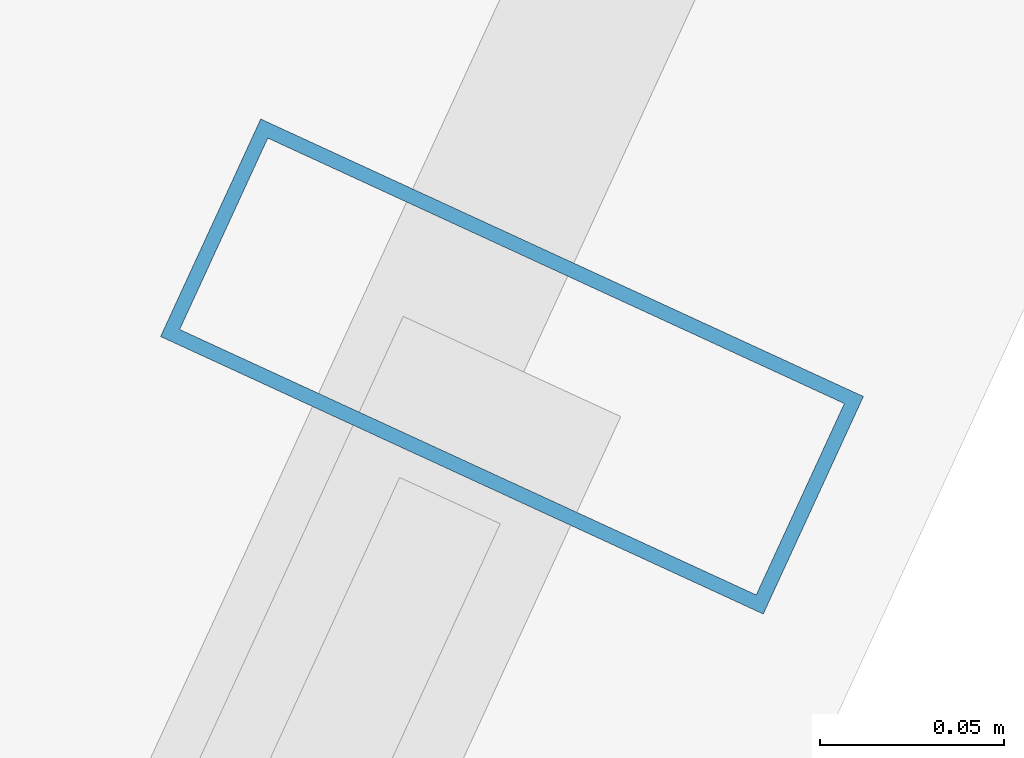
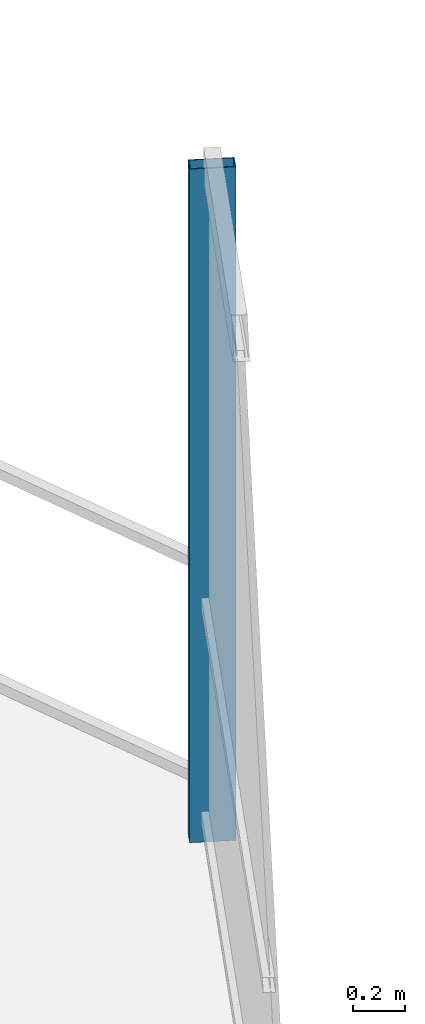
# One storey, part 22 of 30: 1 member, 1 element without a shape of its own.
"""IFC4 building model written with IfcOpenShell, lengths in metres."""

import ifcopenshell
import ifcopenshell.guid

model = None  # the IFC model being written
_history = None  # IfcOwnerHistory: only IFC2X3 demands one
_inside = {}  # id of a spatial element -> (the spatial element, [elements in it])
_under = {}  # id of a project, library or spatial element -> (it, [spatial elements below it])
_declared = {}  # id of a project -> (the project, [libraries it declares])
_typed = {}  # id of a type object -> (the type object, [elements of that type])
_made_of = {}  # id of a material, layer set ... -> (it, [elements and type objects made of it])


def new_model(schema):
    """Start an empty IFC model of exactly this schema.

    Asked for "IFC4X3", IfcOpenShell would pick the latest addendum, in which some entities
    have other attributes; the version numbers below select the first issue.
    IFC2X3 requires an IfcOwnerHistory on every rooted entity: one is made here for all.
    """
    global model, _history
    if schema == "IFC4X3":
        model = ifcopenshell.file(schema_version=(4, 3, 0, 0))
    else:
        model = ifcopenshell.file(schema=schema)
    _inside.clear()
    _under.clear()
    _declared.clear()
    _typed.clear()
    _made_of.clear()
    _history = None
    if model.schema == "IFC2X3":
        org = make("IfcOrganization", Name="unknown")
        user = make(
            "IfcPersonAndOrganization",
            ThePerson=make("IfcPerson", FamilyName="unknown"),
            TheOrganization=org,
        )
        app = make(
            "IfcApplication",
            ApplicationDeveloper=org,
            Version="unknown",
            ApplicationFullName="unknown",
            ApplicationIdentifier="unknown",
        )
        _history = make(
            "IfcOwnerHistory",
            OwningUser=user,
            OwningApplication=app,
            ChangeAction="ADDED",
            CreationDate=0,
        )
    return model


def make(cls, **values):
    """One entity of the class cls with the attributes given. An attribute that is None is left unset."""
    return model.create_entity(
        cls, **{name: value for name, value in values.items() if value is not None}
    )


def rooted(cls, **values):
    """An entity with a GlobalId (a new one), such as an element, a storey or a relation."""
    return make(cls, GlobalId=ifcopenshell.guid.new(), OwnerHistory=_history, **values)


def si_unit(unit_type, name, prefix=None):
    """IfcSIUnit, for example si_unit("LENGTHUNIT", "METRE", prefix="MILLI")."""
    return make("IfcSIUnit", UnitType=unit_type, Prefix=prefix, Name=name)


def assignment(units):
    """IfcUnitAssignment: the units of a project."""
    return None if units is None else make("IfcUnitAssignment", Units=units)


def point(xyz):
    """IfcCartesianPoint."""
    return None if xyz is None else make("IfcCartesianPoint", Coordinates=xyz)


def direction(xyz):
    """IfcDirection."""
    return None if xyz is None else make("IfcDirection", DirectionRatios=xyz)


def frame(location, z_axis=None, x_axis=None):
    """IfcAxis2Placement3D, a coordinate frame: its origin and axes. An axis left out is left unset."""
    return make(
        "IfcAxis2Placement3D",
        Location=point(location),
        Axis=direction(z_axis),
        RefDirection=direction(x_axis),
    )


def frame_2d(location, x_axis=None):
    """IfcAxis2Placement2D, a coordinate frame in the plane: its origin and x axis."""
    return make(
        "IfcAxis2Placement2D", Location=point(location), RefDirection=direction(x_axis)
    )


def origin():
    """The frame at (0, 0, 0) with its axes left unset."""
    return frame((0.0, 0.0, 0.0))


def origin_2d():
    """The frame at (0, 0) in the plane with its x axis left unset."""
    return frame_2d((0.0, 0.0))


def place(relative_to, where):
    """IfcLocalPlacement: puts the frame where relative to a parent placement (None: the world)."""
    return make(
        "IfcLocalPlacement", PlacementRelTo=relative_to, RelativePlacement=where
    )


def context(
    kind, dimensions, precision=None, world=None, true_north=None, identifier=None
):
    """IfcGeometricRepresentationContext, for example the 3D "Model" context."""
    return make(
        "IfcGeometricRepresentationContext",
        ContextIdentifier=identifier,
        ContextType=kind,
        CoordinateSpaceDimension=dimensions,
        Precision=precision,
        WorldCoordinateSystem=world,
        TrueNorth=true_north,
    )


def subcontext(parent, identifier, kind, view, scale=None):
    """IfcGeometricRepresentationSubContext, for example "Body" below "Model"."""
    return make(
        "IfcGeometricRepresentationSubContext",
        ContextIdentifier=identifier,
        ContextType=kind,
        ParentContext=parent,
        TargetScale=scale,
        TargetView=view,
    )


def project(units=None, contexts=None):
    """IfcProject with its units and contexts."""
    return rooted(
        "IfcProject",
        Name="project",
        RepresentationContexts=contexts,
        UnitsInContext=assignment(units),
    )


def spatial(cls, under=None, at=None, **own):
    """A site, building, storey or space (cls), placed at a placement, below another one or the project."""
    s = rooted(cls, ObjectPlacement=at, **own)
    if under is not None:
        _under.setdefault(under.id(), (under, []))[1].append(s)
    return s


def profile(cls, at=None, kind="AREA", **sizes):
    """A parametric profile (cls). Its sizes go by their IFC names, for example OverallWidth=200.0."""
    return make(cls, ProfileType=kind, Position=at, **sizes)


def hollow_rectangle(**sizes):
    """IfcRectangleHollowProfileDef."""
    return profile("IfcRectangleHollowProfileDef", **sizes)


def extrude(swept, where, along, depth):
    """IfcExtrudedAreaSolid: the profile swept, set in the frame where, extruded along a direction by depth."""
    return make(
        "IfcExtrudedAreaSolid",
        SweptArea=swept,
        Position=where,
        ExtrudedDirection=direction(along),
        Depth=depth,
    )


def shape(context_of_items, identifier, shape_type, items):
    """IfcShapeRepresentation: the items that make up one representation, for example the "Body"."""
    return make(
        "IfcShapeRepresentation",
        ContextOfItems=context_of_items,
        RepresentationIdentifier=identifier,
        RepresentationType=shape_type,
        Items=items,
    )


def material(Name=None, Category=None):
    """IfcMaterial."""
    return make("IfcMaterial", Name=Name, Category=Category)


def layer(
    of_material, thickness, ventilated=None, Name=None, Category=None, Priority=None
):
    """IfcMaterialLayer: one layer of a wall or slab, of a material (None: an air gap)."""
    return make(
        "IfcMaterialLayer",
        Material=of_material,
        LayerThickness=thickness,
        IsVentilated=ventilated,
        Name=Name,
        Category=Category,
        Priority=Priority,
    )


def layer_set(layers, Name=None):
    """IfcMaterialLayerSet."""
    return make("IfcMaterialLayerSet", MaterialLayers=layers, LayerSetName=Name)


def material_profile(
    of_material, cross_section, Name=None, Category=None, Priority=None
):
    """IfcMaterialProfile: a cross section and its material."""
    return make(
        "IfcMaterialProfile",
        Name=Name,
        Material=of_material,
        Profile=cross_section,
        Priority=Priority,
        Category=Category,
    )


def profile_set(profiles, Name=None, composite=None):
    """IfcMaterialProfileSet."""
    return make(
        "IfcMaterialProfileSet",
        Name=Name,
        MaterialProfiles=profiles,
        CompositeProfile=composite,
    )


def made_of(thing, what):
    """Note that an element or type object is made of a material, layer set ...; save() writes the relation."""
    if what is not None:
        _made_of.setdefault(what.id(), (what, []))[1].append(thing)
    return thing


def type_object(cls, material=None, **own):
    """A type object (cls), such as IfcWallType, which elements share."""
    return made_of(rooted(cls, **own), material)


def element(
    cls,
    number,
    at=None,
    inside=None,
    cuts=None,
    type_object=None,
    material=None,
    context=None,
    identifier="Body",
    shape_type=None,
    held_by="IfcProductDefinitionShape",
    body=None,
    shapes=None,
    **own,
):
    """One element of the class cls, such as IfcWall. Its Tag is "e" and its number.

    at: its placement. inside: the storey or other place that contains it. cuts: it is an
    opening in that element (IfcRelVoidsElement). A single representation is given by context,
    identifier, shape_type and body (its items); several are given by shapes. held_by: the class
    of the entity that holds the representations. save() writes the other relations.
    """
    e = rooted(cls, Tag="e%d" % number, ObjectPlacement=at, **own)
    if body is not None:
        shapes = [shape(context, identifier, shape_type, body)]
    if shapes is not None:
        e.Representation = make(held_by, Representations=shapes)
    if inside is not None:
        _inside.setdefault(inside.id(), (inside, []))[1].append(e)
    if cuts is not None:
        rooted(
            "IfcRelVoidsElement", RelatingBuildingElement=cuts, RelatedOpeningElement=e
        )
    if type_object is not None:
        _typed.setdefault(type_object.id(), (type_object, []))[1].append(e)
    return made_of(e, material)


def aggregate(whole, parts):
    """IfcRelAggregates: a whole, such as a stair, and the parts it consists of."""
    return rooted("IfcRelAggregates", RelatingObject=whole, RelatedObjects=parts)


def save(model, path):
    """Write the relations noted so far, then the file.

    IfcRelAggregates (storeys below a building ...), IfcRelContainedInSpatialStructure (elements
    in a storey), IfcRelDefinesByType, IfcRelAssociatesMaterial and IfcRelDeclares: one each for
    every whole, place, type object, material and project.
    """
    for whole, parts in _under.values():
        aggregate(whole, parts)
    for where, things in _inside.values():
        rooted(
            "IfcRelContainedInSpatialStructure",
            RelatedElements=things,
            RelatingStructure=where,
        )
    for kind, things in _typed.values():
        rooted("IfcRelDefinesByType", RelatedObjects=things, RelatingType=kind)
    for what, things in _made_of.values():
        rooted("IfcRelAssociatesMaterial", RelatedObjects=things, RelatingMaterial=what)
    for by, libraries in _declared.values():
        rooted("IfcRelDeclares", RelatingContext=by, RelatedDefinitions=libraries)
    model.write(path)


model = new_model("IFC4")

# Units and contexts
model_context = context("Model", 3, precision=1e-05, world=origin(), true_north=direction((0.0, 1.0)))
body_context = subcontext(model_context, "Body", "Model", "MODEL_VIEW")
ifc_project = project(units=[si_unit("LENGTHUNIT", "METRE"), si_unit("AREAUNIT", "SQUARE_METRE"), si_unit("VOLUMEUNIT", "CUBIC_METRE"), si_unit("PLANEANGLEUNIT", "RADIAN"), si_unit("MASSUNIT", "GRAM", prefix="KILO")], contexts=[model_context])

# Site, building, storey
site_placement = place(None, origin())
site = spatial("IfcSite", under=ifc_project, at=site_placement, CompositionType="ELEMENT")
building_placement = place(site_placement, origin())
building = spatial("IfcBuilding", under=site, at=building_placement, Name="Qarnah Convention Tower", CompositionType="ELEMENT")
storey_placement = place(building_placement, frame((0.0, 0.0, 86.699951171875)))
storey = spatial("IfcBuildingStorey", under=building, at=storey_placement, Name="L22", CompositionType="ELEMENT", Elevation=86.699951171875)

# Curtain wall, member
ifc_material_1 = material(Name="Tempered Low-E dark glass", Category="glass")
ifc_layer = layer(ifc_material_1, 0.169921875)
ifc_layer_set = layer_set([ifc_layer], Name="Tempered Low-E dark glass")
curtain_wall_type = type_object("IfcCurtainWallType", Name="CWS-02", PredefinedType="NOTDEFINED", material=ifc_layer_set)
curtain_wall_placement = place(storey_placement, origin())
curtain_wall = element("IfcCurtainWall", 1, at=curtain_wall_placement, inside=storey, type_object=curtain_wall_type, Name="L22 unitised curtain wall CW-L22-F3", PredefinedType="NOTDEFINED")
ifc_material_2 = material(Name="Black anodised aluminium", Category="aluminium")
ifc_material_profile = material_profile(ifc_material_2, hollow_rectangle(XDim=0.06494140625, YDim=0.179931640625, WallThickness=0.00390625, at=origin_2d()), Name="MUL-65X180")
ifc_profile_set = profile_set([ifc_material_profile], Name="Black anodised aluminium")
member_type = type_object("IfcMemberType", Name="MUL-T2", PredefinedType="MULLION", material=ifc_profile_set)
member_placement = place(storey_placement, frame((61.537109375, 33.74609375, 0.0), z_axis=(0.0, 0.0, 1.0), x_axis=(-0.418223177755, -0.908344303438, 0.0)))
member = element("IfcMember", 2, at=member_placement, type_object=member_type, Name="CW-L22-F3 mullion 1", PredefinedType="MULLION", context=body_context, shape_type="SweptSolid", body=[
    extrude(hollow_rectangle(XDim=0.06494140625, YDim=0.179931640625, WallThickness=0.00390625, at=origin_2d()), origin(), (0.0, 0.0, 1.0), 3.170166015625),
])
aggregate(curtain_wall, [member])

save(model, "model.ifc")
